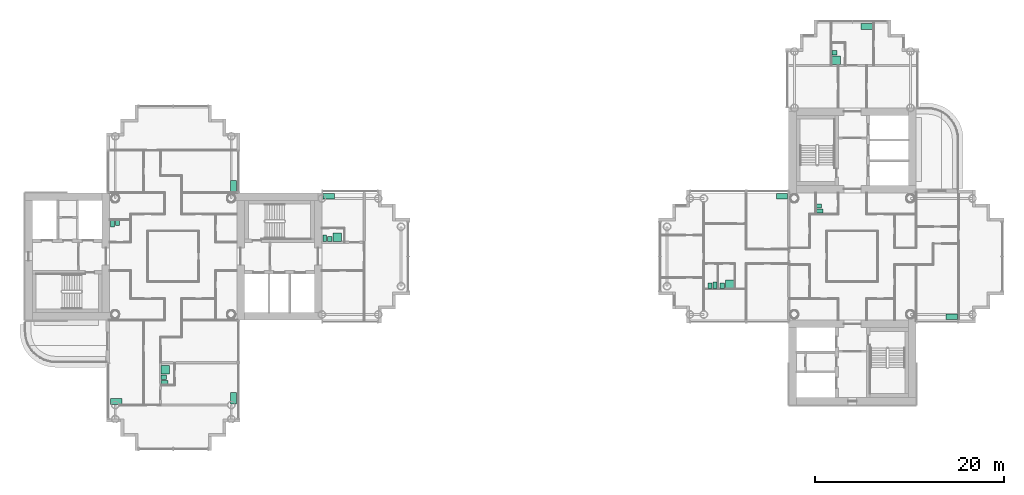
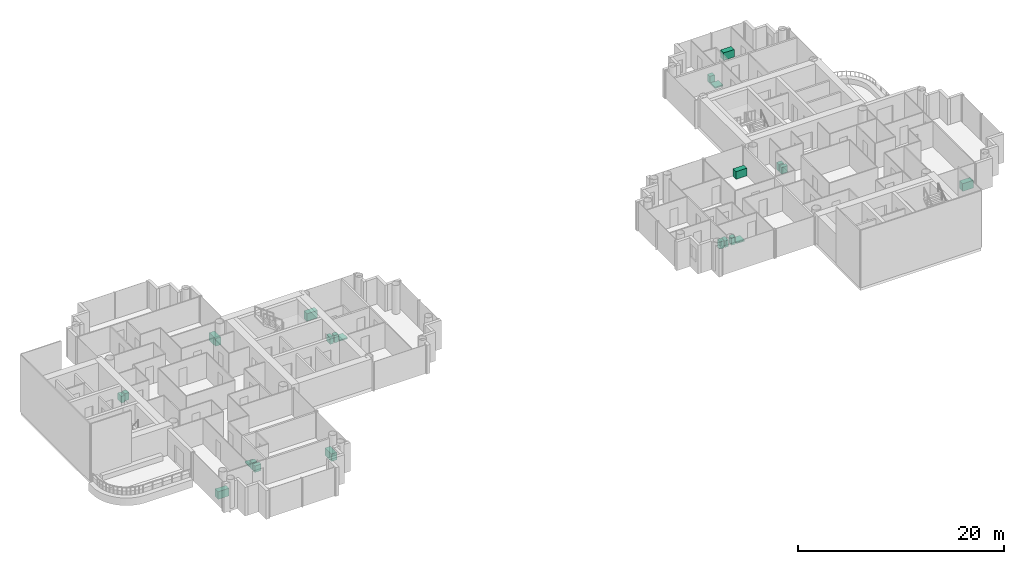
# One storey, part 20 of 20: 23 sanitary terminals.
"""IFC4 building model written with IfcOpenShell, lengths in metres."""

import ifcopenshell
import ifcopenshell.guid

model = None  # the IFC model being written
_history = None  # IfcOwnerHistory: only IFC2X3 demands one
_inside = {}  # id of a spatial element -> (the spatial element, [elements in it])
_under = {}  # id of a project, library or spatial element -> (it, [spatial elements below it])
_declared = {}  # id of a project -> (the project, [libraries it declares])
_typed = {}  # id of a type object -> (the type object, [elements of that type])
_made_of = {}  # id of a material, layer set ... -> (it, [elements and type objects made of it])


def new_model(schema):
    """Start an empty IFC model of exactly this schema.

    Asked for "IFC4X3", IfcOpenShell would pick the latest addendum, in which some entities
    have other attributes; the version numbers below select the first issue.
    IFC2X3 requires an IfcOwnerHistory on every rooted entity: one is made here for all.
    """
    global model, _history
    if schema == "IFC4X3":
        model = ifcopenshell.file(schema_version=(4, 3, 0, 0))
    else:
        model = ifcopenshell.file(schema=schema)
    _inside.clear()
    _under.clear()
    _declared.clear()
    _typed.clear()
    _made_of.clear()
    _history = None
    if model.schema == "IFC2X3":
        org = make("IfcOrganization", Name="unknown")
        user = make(
            "IfcPersonAndOrganization",
            ThePerson=make("IfcPerson", FamilyName="unknown"),
            TheOrganization=org,
        )
        app = make(
            "IfcApplication",
            ApplicationDeveloper=org,
            Version="unknown",
            ApplicationFullName="unknown",
            ApplicationIdentifier="unknown",
        )
        _history = make(
            "IfcOwnerHistory",
            OwningUser=user,
            OwningApplication=app,
            ChangeAction="ADDED",
            CreationDate=0,
        )
    return model


def make(cls, **values):
    """One entity of the class cls with the attributes given. An attribute that is None is left unset."""
    return model.create_entity(
        cls, **{name: value for name, value in values.items() if value is not None}
    )


def rooted(cls, **values):
    """An entity with a GlobalId (a new one), such as an element, a storey or a relation."""
    return make(cls, GlobalId=ifcopenshell.guid.new(), OwnerHistory=_history, **values)


def si_unit(unit_type, name, prefix=None):
    """IfcSIUnit, for example si_unit("LENGTHUNIT", "METRE", prefix="MILLI")."""
    return make("IfcSIUnit", UnitType=unit_type, Prefix=prefix, Name=name)


def assignment(units):
    """IfcUnitAssignment: the units of a project."""
    return None if units is None else make("IfcUnitAssignment", Units=units)


def point(xyz):
    """IfcCartesianPoint."""
    return None if xyz is None else make("IfcCartesianPoint", Coordinates=xyz)


def direction(xyz):
    """IfcDirection."""
    return None if xyz is None else make("IfcDirection", DirectionRatios=xyz)


def frame(location, z_axis=None, x_axis=None):
    """IfcAxis2Placement3D, a coordinate frame: its origin and axes. An axis left out is left unset."""
    return make(
        "IfcAxis2Placement3D",
        Location=point(location),
        Axis=direction(z_axis),
        RefDirection=direction(x_axis),
    )


def frame_2d(location, x_axis=None):
    """IfcAxis2Placement2D, a coordinate frame in the plane: its origin and x axis."""
    return make(
        "IfcAxis2Placement2D", Location=point(location), RefDirection=direction(x_axis)
    )


def origin():
    """The frame at (0, 0, 0) with its axes left unset."""
    return frame((0.0, 0.0, 0.0))


def origin_2d():
    """The frame at (0, 0) in the plane with its x axis left unset."""
    return frame_2d((0.0, 0.0))


def place(relative_to, where):
    """IfcLocalPlacement: puts the frame where relative to a parent placement (None: the world)."""
    return make(
        "IfcLocalPlacement", PlacementRelTo=relative_to, RelativePlacement=where
    )


def context(
    kind, dimensions, precision=None, world=None, true_north=None, identifier=None
):
    """IfcGeometricRepresentationContext, for example the 3D "Model" context."""
    return make(
        "IfcGeometricRepresentationContext",
        ContextIdentifier=identifier,
        ContextType=kind,
        CoordinateSpaceDimension=dimensions,
        Precision=precision,
        WorldCoordinateSystem=world,
        TrueNorth=true_north,
    )


def subcontext(parent, identifier, kind, view, scale=None):
    """IfcGeometricRepresentationSubContext, for example "Body" below "Model"."""
    return make(
        "IfcGeometricRepresentationSubContext",
        ContextIdentifier=identifier,
        ContextType=kind,
        ParentContext=parent,
        TargetScale=scale,
        TargetView=view,
    )


def project(units=None, contexts=None):
    """IfcProject with its units and contexts."""
    return rooted(
        "IfcProject",
        Name="project",
        RepresentationContexts=contexts,
        UnitsInContext=assignment(units),
    )


def spatial(cls, under=None, at=None, **own):
    """A site, building, storey or space (cls), placed at a placement, below another one or the project."""
    s = rooted(cls, ObjectPlacement=at, **own)
    if under is not None:
        _under.setdefault(under.id(), (under, []))[1].append(s)
    return s


def profile(cls, at=None, kind="AREA", **sizes):
    """A parametric profile (cls). Its sizes go by their IFC names, for example OverallWidth=200.0."""
    return make(cls, ProfileType=kind, Position=at, **sizes)


def rectangle(**sizes):
    """IfcRectangleProfileDef."""
    return profile("IfcRectangleProfileDef", **sizes)


def extrude(swept, where, along, depth):
    """IfcExtrudedAreaSolid: the profile swept, set in the frame where, extruded along a direction by depth."""
    return make(
        "IfcExtrudedAreaSolid",
        SweptArea=swept,
        Position=where,
        ExtrudedDirection=direction(along),
        Depth=depth,
    )


def shape(context_of_items, identifier, shape_type, items):
    """IfcShapeRepresentation: the items that make up one representation, for example the "Body"."""
    return make(
        "IfcShapeRepresentation",
        ContextOfItems=context_of_items,
        RepresentationIdentifier=identifier,
        RepresentationType=shape_type,
        Items=items,
    )


def material(Name=None, Category=None):
    """IfcMaterial."""
    return make("IfcMaterial", Name=Name, Category=Category)


def made_of(thing, what):
    """Note that an element or type object is made of a material, layer set ...; save() writes the relation."""
    if what is not None:
        _made_of.setdefault(what.id(), (what, []))[1].append(thing)
    return thing


def type_object(cls, material=None, **own):
    """A type object (cls), such as IfcWallType, which elements share."""
    return made_of(rooted(cls, **own), material)


def element(
    cls,
    number,
    at=None,
    inside=None,
    cuts=None,
    type_object=None,
    material=None,
    context=None,
    identifier="Body",
    shape_type=None,
    held_by="IfcProductDefinitionShape",
    body=None,
    shapes=None,
    **own,
):
    """One element of the class cls, such as IfcWall. Its Tag is "e" and its number.

    at: its placement. inside: the storey or other place that contains it. cuts: it is an
    opening in that element (IfcRelVoidsElement). A single representation is given by context,
    identifier, shape_type and body (its items); several are given by shapes. held_by: the class
    of the entity that holds the representations. save() writes the other relations.
    """
    e = rooted(cls, Tag="e%d" % number, ObjectPlacement=at, **own)
    if body is not None:
        shapes = [shape(context, identifier, shape_type, body)]
    if shapes is not None:
        e.Representation = make(held_by, Representations=shapes)
    if inside is not None:
        _inside.setdefault(inside.id(), (inside, []))[1].append(e)
    if cuts is not None:
        rooted(
            "IfcRelVoidsElement", RelatingBuildingElement=cuts, RelatedOpeningElement=e
        )
    if type_object is not None:
        _typed.setdefault(type_object.id(), (type_object, []))[1].append(e)
    return made_of(e, material)


def aggregate(whole, parts):
    """IfcRelAggregates: a whole, such as a stair, and the parts it consists of."""
    return rooted("IfcRelAggregates", RelatingObject=whole, RelatedObjects=parts)


def save(model, path):
    """Write the relations noted so far, then the file.

    IfcRelAggregates (storeys below a building ...), IfcRelContainedInSpatialStructure (elements
    in a storey), IfcRelDefinesByType, IfcRelAssociatesMaterial and IfcRelDeclares: one each for
    every whole, place, type object, material and project.
    """
    for whole, parts in _under.values():
        aggregate(whole, parts)
    for where, things in _inside.values():
        rooted(
            "IfcRelContainedInSpatialStructure",
            RelatedElements=things,
            RelatingStructure=where,
        )
    for kind, things in _typed.values():
        rooted("IfcRelDefinesByType", RelatedObjects=things, RelatingType=kind)
    for what, things in _made_of.values():
        rooted("IfcRelAssociatesMaterial", RelatedObjects=things, RelatingMaterial=what)
    for by, libraries in _declared.values():
        rooted("IfcRelDeclares", RelatingContext=by, RelatedDefinitions=libraries)
    model.write(path)


model = new_model("IFC4")

# Units and contexts
model_context = context("Model", 3, precision=1e-05, world=origin(), true_north=direction((0.0, 1.0)))
body_context = subcontext(model_context, "Body", "Model", "MODEL_VIEW")
ifc_project = project(units=[si_unit("LENGTHUNIT", "METRE"), si_unit("AREAUNIT", "SQUARE_METRE"), si_unit("VOLUMEUNIT", "CUBIC_METRE"), si_unit("PLANEANGLEUNIT", "RADIAN"), si_unit("MASSUNIT", "GRAM", prefix="KILO")], contexts=[model_context])

# Site, building, storey
site_placement = place(None, origin())
site = spatial("IfcSite", under=ifc_project, at=site_placement, CompositionType="ELEMENT")
building_placement = place(site_placement, origin())
building = spatial("IfcBuilding", under=site, at=building_placement, Name="Ipe Terrace Towers", CompositionType="ELEMENT")
storey_placement = place(building_placement, frame((0.0, 0.0, 160.89990234375)))
storey = spatial("IfcBuildingStorey", under=building, at=storey_placement, Name="L44", CompositionType="ELEMENT", Elevation=160.89990234375)

# Sanitary terminals
ifc_material_1 = material(Name="Stainless sink unit", Category="metal")
sanitary_terminal_type_1 = type_object("IfcSanitaryTerminalType", Name="Kitchen sink unit", PredefinedType="SINK", material=ifc_material_1)
for number, where, z_axis, x_axis, name in (
    (1, (-29.6201171875, 7.469970703125, 0.000244140625), (0.0, 0.0, 1.0), (0.0, -1.0, 0.0), "Kitchen sink unit"),
    (2, (-29.6201171875, -15.030029296875, 0.000244140625), (0.0, 0.0, 1.0), (0.0, -1.0, 0.0), "Kitchen sink unit"),
    (3, (-42.030029296875, -15.3798828125, 0.000244140625), (0.0, 0.0, 1.0), (-1.0, 0.0, 0.0), "Kitchen sink unit"),
    (4, (-19.530029296875, 6.3798828125, 0.000244140625), (0.0, 0.0, 1.0), (1.0, 0.0, 0.0), "Kitchen sink unit"),
    (5, (28.530029296875, 6.3798828125, 0.000244140625), (0.0, 0.0, 1.0), (1.0, 0.0, 0.0), "Kitchen sink unit"),
    (6, (46.530029296875, -6.3798828125, 0.000244140625), (0.0, 0.0, 1.0), (-1.0, 0.0, 0.0), "Kitchen sink unit"),
    (7, (37.530029296875, 24.3798828125, 0.000244140625), (0.0, 0.0, 1.0), (1.0, 0.0, 0.0), "Kitchen sink unit"),
):
    element("IfcSanitaryTerminal", number, at=place(storey_placement, frame(where, z_axis=z_axis, x_axis=x_axis)), inside=storey, type_object=sanitary_terminal_type_1, Name=name, PredefinedType="SINK", context=body_context, shape_type="SweptSolid", body=[
        extrude(rectangle(XDim=1.199951171875, YDim=0.60009765625, at=origin_2d()), origin(), (0.0, 0.0, 1.0), 0.89990234375),
    ])
ifc_material_2 = material(Name="Acrylic", Category="plastic")
sanitary_terminal_type_2 = type_object("IfcSanitaryTerminalType", Name="Shower tray", PredefinedType="SHOWER", material=ifc_material_2)
for number, where, z_axis, x_axis, name in (
    (8, (-36.830078125, -12.030029296875, 0.000244140625), (0.0, 0.0, 1.0), (1.0, 0.0, 0.0), "Shower tray"),
    (9, (-18.6298828125, 2.02001953125, 0.000244140625), (0.0, 0.0, 1.0), (0.0, 1.0, 0.0), "Shower tray"),
    (10, (22.97998046875, -2.929931640625, 0.000244140625), (0.0, 0.0, 1.0), (0.0, 1.0, 0.0), "Shower tray"),
    (11, (34.27001953125, 20.820068359375, 0.000244140625), (0.0, 0.0, 1.0), (1.0, 0.0, 0.0), "Shower tray"),
):
    element("IfcSanitaryTerminal", number, at=place(storey_placement, frame(where, z_axis=z_axis, x_axis=x_axis)), inside=storey, type_object=sanitary_terminal_type_2, Name=name, PredefinedType="SHOWER", context=body_context, shape_type="SweptSolid", body=[
        extrude(rectangle(XDim=0.89990234375, YDim=0.89990234375, at=origin_2d()), origin(), (0.0, 0.0, 1.0), 0.14990234375),
    ])
ifc_material_3 = material(Name="Vitreous china", Category="ceramic")
sanitary_terminal_type_3 = type_object("IfcSanitaryTerminalType", Name="Wash basin", PredefinedType="WASHHANDBASIN", material=ifc_material_3)
for number, where, z_axis, x_axis, name in (
    (12, (-41.905029296875, 3.554931640625, 0.0), (0.0, 0.0, 1.0), (0.0, -1.0, 0.0), "Wash basin"),
    (13, (-37.0048828125, -12.804931640625, 0.0), (0.0, 0.0, 1.0), (1.0, 0.0, 0.0), "Wash basin"),
    (14, (-19.405029296875, 1.844970703125, 0.0), (0.0, 0.0, 1.0), (0.0, 1.0, 0.0), "Wash basin"),
    (15, (32.445068359375, 5.344970703125, 0.0), (0.0, 0.0, 1.0), (1.0, 0.0, 0.0), "Wash basin"),
    (16, (22.205078125, -3.10498046875, 0.0), (0.0, 0.0, 1.0), (0.0, 1.0, 0.0), "Wash basin"),
    (17, (20.905029296875, -3.10498046875, 0.0), (0.0, 0.0, 1.0), (0.0, 1.0, 0.0), "Wash basin"),
    (18, (34.094970703125, 21.594970703125, 0.0), (0.0, 0.0, 1.0), (1.0, 0.0, 0.0), "Wash basin"),
):
    element("IfcSanitaryTerminal", number, at=place(storey_placement, frame(where, z_axis=z_axis, x_axis=x_axis)), inside=storey, type_object=sanitary_terminal_type_3, Name=name, PredefinedType="WASHHANDBASIN", context=body_context, shape_type="SweptSolid", body=[
        extrude(rectangle(XDim=0.550048828125, YDim=0.449951171875, at=origin_2d()), origin(), (0.0, 0.0, 1.0), 0.85009765625),
    ])
ifc_material_4 = material(Name="Vitreous china", Category="ceramic")
sanitary_terminal_type_4 = type_object("IfcSanitaryTerminalType", Name="Water closet", PredefinedType="TOILETPAN", material=ifc_material_4)
for number, where, z_axis, x_axis, name in (
    (19, (-42.429931640625, 3.47998046875, 0.0), (0.0, 0.0, 1.0), (0.0, -1.0, 0.0), "Water closet"),
    (20, (-36.929931640625, -13.330078125, 0.0), (0.0, 0.0, 1.0), (1.0, 0.0, 0.0), "Water closet"),
    (21, (-19.929931640625, 1.919921875, 0.0), (0.0, 0.0, 1.0), (0.0, 1.0, 0.0), "Water closet"),
    (22, (32.52001953125, 4.820068359375, 0.0), (0.0, 0.0, 1.0), (1.0, 0.0, 0.0), "Water closet"),
    (23, (21.429931640625, -3.030029296875, 0.0), (0.0, 0.0, 1.0), (0.0, 1.0, 0.0), "Water closet"),
):
    element("IfcSanitaryTerminal", number, at=place(storey_placement, frame(where, z_axis=z_axis, x_axis=x_axis)), inside=storey, type_object=sanitary_terminal_type_4, Name=name, PredefinedType="TOILETPAN", context=body_context, shape_type="SweptSolid", body=[
        extrude(rectangle(XDim=0.699951171875, YDim=0.39990234375, at=origin_2d()), origin(), (0.0, 0.0, 1.0), 0.780029296875),
    ])

save(model, "model.ifc")
